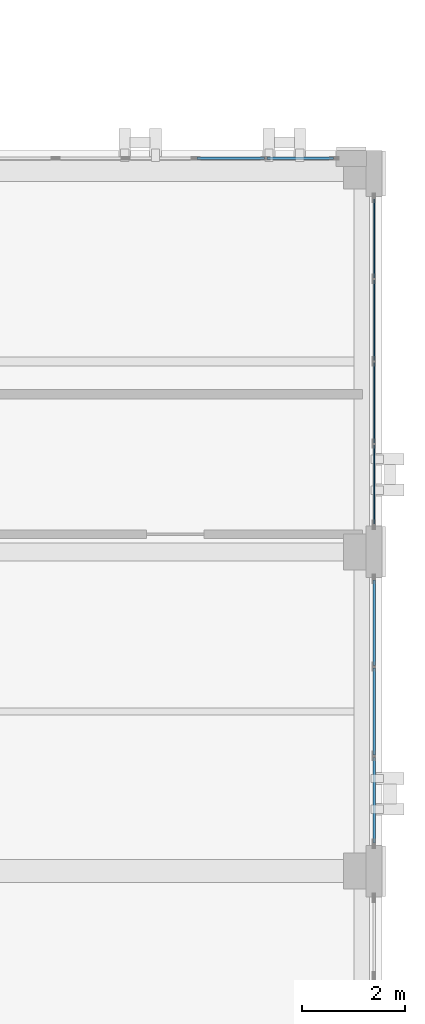
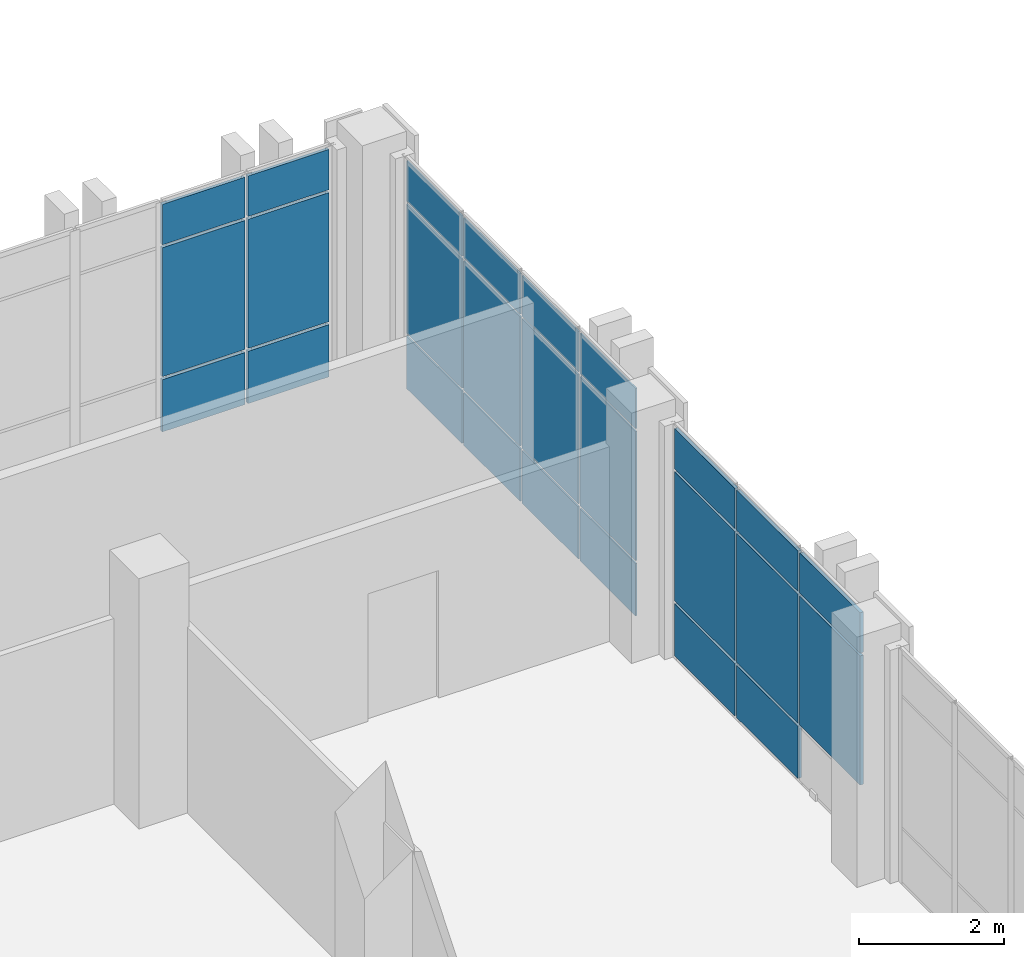
# One storey, part 152 of 193: 26 plates, 3 elements without a shape of their own.
"""IFC4 building model written with IfcOpenShell, lengths in metres."""

from ifc_helpers import new_model, si_unit, direction, frame, origin, origin_2d, place, context, subcontext, project, spatial, rectangle, extrude, material, layer, layer_set, type_object, element, aggregate, save


model = new_model("IFC4")

# Units and contexts
model_context = context("Model", 3, precision=1e-05, world=origin(), true_north=direction((0.0, 1.0)))
body_context = subcontext(model_context, "Body", "Model", "MODEL_VIEW")
ifc_project = project(units=[si_unit("LENGTHUNIT", "METRE"), si_unit("AREAUNIT", "SQUARE_METRE"), si_unit("VOLUMEUNIT", "CUBIC_METRE"), si_unit("PLANEANGLEUNIT", "RADIAN"), si_unit("MASSUNIT", "GRAM", prefix="KILO")], contexts=[model_context])

# Site, building, storey
site_placement = place(None, origin())
site = spatial("IfcSite", under=ifc_project, at=site_placement, CompositionType="ELEMENT")
building_placement = place(site_placement, origin())
building = spatial("IfcBuilding", under=site, at=building_placement, Name="Qalavern Law Courts", CompositionType="ELEMENT")
storey_placement = place(building_placement, frame((0.0, 0.0, 10.199951171875)))
storey = spatial("IfcBuildingStorey", under=building, at=storey_placement, Name="L02", CompositionType="ELEMENT", Elevation=10.199951171875)

# Curtain wall, plates
ifc_material_1 = material(Name="Anodised aluminium and insulated glazing", Category="aluminium")
ifc_layer_1 = layer(ifc_material_1, 0.172119140625)
ifc_layer_set_1 = layer_set([ifc_layer_1], Name="Anodised aluminium and insulated glazing")
curtain_wall_type = type_object("IfcCurtainWallType", Name="ENV-CW-COURT", PredefinedType="USERDEFINED", material=ifc_layer_set_1)
curtain_wall_1_placement = place(storey_placement, origin())
curtain_wall_1 = element("IfcCurtainWall", 1, at=curtain_wall_1_placement, inside=storey, type_object=curtain_wall_type, Name="V6 unitised curtain wall L02 east 3", ObjectType="UNITISED CURTAIN WALL", PredefinedType="USERDEFINED")
ifc_material_2 = material(Name="Insulated low-E acoustic glazing", Category="glass")
ifc_layer_2 = layer(ifc_material_2, 0.02392578125)
ifc_layer_set_2 = layer_set([ifc_layer_2], Name="Insulated low-E acoustic glazing")
plate_type_1 = type_object("IfcPlateType", Name="ENV-CWP-24", PredefinedType="CURTAIN_PANEL", material=ifc_layer_set_2)
plate_1_placement = place(storey_placement, frame((165.844970703125, 16.112060546875, 0.048095703125), z_axis=(0.0, 0.0, 1.0), x_axis=(0.0, 1.0, 0.0)))
plate_1 = element("IfcPlate", 2, at=plate_1_placement, type_object=plate_type_1, Name="CW-03 panel 1.1", PredefinedType="CURTAIN_PANEL", context=body_context, shape_type="SweptSolid", body=[
    extrude(rectangle(XDim=1.528076171875, YDim=0.02392578125, at=origin_2d()), origin(), (0.0, 0.0, 1.0), 0.8779296875),
])
plate_2_placement = place(storey_placement, frame((165.844970703125, 16.112060546875, 0.97412109375), z_axis=(0.0, 0.0, 1.0), x_axis=(0.0, 1.0, 0.0)))
plate_2 = element("IfcPlate", 3, at=plate_2_placement, type_object=plate_type_1, Name="CW-03 panel 1.2", PredefinedType="CURTAIN_PANEL", context=body_context, shape_type="SweptSolid", body=[
    extrude(rectangle(XDim=1.528076171875, YDim=0.02392578125, at=origin_2d()), origin(), (0.0, 0.0, 1.0), 2.1669921875),
])
plate_3_placement = place(storey_placement, frame((165.844970703125, 16.112060546875, 3.18896484375), z_axis=(0.0, 0.0, 1.0), x_axis=(0.0, 1.0, 0.0)))
plate_3 = element("IfcPlate", 4, at=plate_3_placement, type_object=plate_type_1, Name="CW-03 panel 1.3", PredefinedType="CURTAIN_PANEL", context=body_context, shape_type="SweptSolid", body=[
    extrude(rectangle(XDim=1.528076171875, YDim=0.02392578125, at=origin_2d()), origin(), (0.0, 0.0, 1.0), 0.677978515625),
])
plate_4_placement = place(storey_placement, frame((165.844970703125, 17.699951171875, 0.048095703125), z_axis=(0.0, 0.0, 1.0), x_axis=(0.0, 1.0, 0.0)))
plate_4 = element("IfcPlate", 5, at=plate_4_placement, type_object=plate_type_1, Name="CW-03 panel 2.1", PredefinedType="CURTAIN_PANEL", context=body_context, shape_type="SweptSolid", body=[
    extrude(rectangle(XDim=1.552001953125, YDim=0.02392578125, at=origin_2d()), origin(), (0.0, 0.0, 1.0), 0.8779296875),
])
plate_5_placement = place(storey_placement, frame((165.844970703125, 17.699951171875, 0.97412109375), z_axis=(0.0, 0.0, 1.0), x_axis=(0.0, 1.0, 0.0)))
plate_5 = element("IfcPlate", 6, at=plate_5_placement, type_object=plate_type_1, Name="CW-03 panel 2.2", PredefinedType="CURTAIN_PANEL", context=body_context, shape_type="SweptSolid", body=[
    extrude(rectangle(XDim=1.552001953125, YDim=0.02392578125, at=origin_2d()), origin(), (0.0, 0.0, 1.0), 2.1669921875),
])
plate_6_placement = place(storey_placement, frame((165.844970703125, 17.699951171875, 3.18896484375), z_axis=(0.0, 0.0, 1.0), x_axis=(0.0, 1.0, 0.0)))
plate_6 = element("IfcPlate", 7, at=plate_6_placement, type_object=plate_type_1, Name="CW-03 panel 2.3", PredefinedType="CURTAIN_PANEL", context=body_context, shape_type="SweptSolid", body=[
    extrude(rectangle(XDim=1.552001953125, YDim=0.02392578125, at=origin_2d()), origin(), (0.0, 0.0, 1.0), 0.677978515625),
])
plate_7_placement = place(storey_placement, frame((165.844970703125, 19.300048828125, 0.048095703125), z_axis=(0.0, 0.0, 1.0), x_axis=(0.0, 1.0, 0.0)))
plate_7 = element("IfcPlate", 8, at=plate_7_placement, type_object=plate_type_1, Name="CW-03 panel 3.1", PredefinedType="CURTAIN_PANEL", context=body_context, shape_type="SweptSolid", body=[
    extrude(rectangle(XDim=1.552001953125, YDim=0.02392578125, at=origin_2d()), origin(), (0.0, 0.0, 1.0), 0.8779296875),
])
plate_8_placement = place(storey_placement, frame((165.844970703125, 19.300048828125, 0.97412109375), z_axis=(0.0, 0.0, 1.0), x_axis=(0.0, 1.0, 0.0)))
plate_8 = element("IfcPlate", 9, at=plate_8_placement, type_object=plate_type_1, Name="CW-03 panel 3.2", PredefinedType="CURTAIN_PANEL", context=body_context, shape_type="SweptSolid", body=[
    extrude(rectangle(XDim=1.552001953125, YDim=0.02392578125, at=origin_2d()), origin(), (0.0, 0.0, 1.0), 2.1669921875),
])
plate_9_placement = place(storey_placement, frame((165.844970703125, 19.300048828125, 3.18896484375), z_axis=(0.0, 0.0, 1.0), x_axis=(0.0, 1.0, 0.0)))
plate_9 = element("IfcPlate", 10, at=plate_9_placement, type_object=plate_type_1, Name="CW-03 panel 3.3", PredefinedType="CURTAIN_PANEL", context=body_context, shape_type="SweptSolid", body=[
    extrude(rectangle(XDim=1.552001953125, YDim=0.02392578125, at=origin_2d()), origin(), (0.0, 0.0, 1.0), 0.677978515625),
])
plate_10_placement = place(storey_placement, frame((165.844970703125, 20.887939453125, 0.048095703125), z_axis=(0.0, 0.0, 1.0), x_axis=(0.0, 1.0, 0.0)))
plate_10 = element("IfcPlate", 11, at=plate_10_placement, type_object=plate_type_1, Name="CW-03 panel 4.1", PredefinedType="CURTAIN_PANEL", context=body_context, shape_type="SweptSolid", body=[
    extrude(rectangle(XDim=1.528076171875, YDim=0.02392578125, at=origin_2d()), origin(), (0.0, 0.0, 1.0), 0.8779296875),
])
plate_11_placement = place(storey_placement, frame((165.844970703125, 20.887939453125, 0.97412109375), z_axis=(0.0, 0.0, 1.0), x_axis=(0.0, 1.0, 0.0)))
plate_11 = element("IfcPlate", 12, at=plate_11_placement, type_object=plate_type_1, Name="CW-03 panel 4.2", PredefinedType="CURTAIN_PANEL", context=body_context, shape_type="SweptSolid", body=[
    extrude(rectangle(XDim=1.528076171875, YDim=0.02392578125, at=origin_2d()), origin(), (0.0, 0.0, 1.0), 2.1669921875),
])
plate_12_placement = place(storey_placement, frame((165.844970703125, 20.887939453125, 3.18896484375), z_axis=(0.0, 0.0, 1.0), x_axis=(0.0, 1.0, 0.0)))
plate_12 = element("IfcPlate", 13, at=plate_12_placement, type_object=plate_type_1, Name="CW-03 panel 4.3", PredefinedType="CURTAIN_PANEL", context=body_context, shape_type="SweptSolid", body=[
    extrude(rectangle(XDim=1.528076171875, YDim=0.02392578125, at=origin_2d()), origin(), (0.0, 0.0, 1.0), 0.677978515625),
])
aggregate(curtain_wall_1, [plate_1, plate_2, plate_3, plate_4, plate_5, plate_6, plate_7, plate_8, plate_9, plate_10, plate_11, plate_12])

curtain_wall_2_placement = place(storey_placement, origin())
curtain_wall_2 = element("IfcCurtainWall", 14, at=curtain_wall_2_placement, inside=storey, type_object=curtain_wall_type, Name="V6 unitised curtain wall L02 north 1", ObjectType="UNITISED CURTAIN WALL", PredefinedType="USERDEFINED")
ifc_layer_3 = layer(ifc_material_2, 0.048095703125)
ifc_layer_set_3 = layer_set([ifc_layer_3], Name="Insulated low-E acoustic glazing")
plate_type_2 = type_object("IfcPlateType", Name="ENV-CWP-48", PredefinedType="CURTAIN_PANEL", material=ifc_layer_set_3)
plate_13_placement = place(storey_placement, frame((164.407958984375, 22.445068359375, 0.048095703125), z_axis=(0.0, 0.0, 1.0), x_axis=(-1.0, 0.0, 0.0)))
plate_13 = element("IfcPlate", 15, at=plate_13_placement, type_object=plate_type_2, Name="CW-03 panel 1.1", PredefinedType="CURTAIN_PANEL", context=body_context, shape_type="SweptSolid", body=[
    extrude(rectangle(XDim=1.2880859375, YDim=0.048095703125, at=origin_2d()), origin(), (0.0, 0.0, 1.0), 0.8779296875),
])
plate_14_placement = place(storey_placement, frame((164.407958984375, 22.445068359375, 0.97412109375), z_axis=(0.0, 0.0, 1.0), x_axis=(-1.0, 0.0, 0.0)))
plate_14 = element("IfcPlate", 16, at=plate_14_placement, type_object=plate_type_2, Name="CW-03 panel 1.2", PredefinedType="CURTAIN_PANEL", context=body_context, shape_type="SweptSolid", body=[
    extrude(rectangle(XDim=1.2880859375, YDim=0.048095703125, at=origin_2d()), origin(), (0.0, 0.0, 1.0), 2.1669921875),
])
plate_15_placement = place(storey_placement, frame((164.407958984375, 22.445068359375, 3.18896484375), z_axis=(0.0, 0.0, 1.0), x_axis=(-1.0, 0.0, 0.0)))
plate_15 = element("IfcPlate", 17, at=plate_15_placement, type_object=plate_type_2, Name="CW-03 panel 1.3", PredefinedType="CURTAIN_PANEL", context=body_context, shape_type="SweptSolid", body=[
    extrude(rectangle(XDim=1.2880859375, YDim=0.048095703125, at=origin_2d()), origin(), (0.0, 0.0, 1.0), 0.677978515625),
])
plate_16_placement = place(storey_placement, frame((163.06005859375, 22.445068359375, 0.048095703125), z_axis=(0.0, 0.0, 1.0), x_axis=(-1.0, 0.0, 0.0)))
plate_16 = element("IfcPlate", 18, at=plate_16_placement, type_object=plate_type_2, Name="CW-03 panel 2.1", PredefinedType="CURTAIN_PANEL", context=body_context, shape_type="SweptSolid", body=[
    extrude(rectangle(XDim=1.31201171875, YDim=0.048095703125, at=origin_2d()), origin(), (0.0, 0.0, 1.0), 0.8779296875),
])
plate_17_placement = place(storey_placement, frame((163.06005859375, 22.445068359375, 0.97412109375), z_axis=(0.0, 0.0, 1.0), x_axis=(-1.0, 0.0, 0.0)))
plate_17 = element("IfcPlate", 19, at=plate_17_placement, type_object=plate_type_2, Name="CW-03 panel 2.2", PredefinedType="CURTAIN_PANEL", context=body_context, shape_type="SweptSolid", body=[
    extrude(rectangle(XDim=1.31201171875, YDim=0.048095703125, at=origin_2d()), origin(), (0.0, 0.0, 1.0), 2.1669921875),
])
plate_18_placement = place(storey_placement, frame((163.06005859375, 22.445068359375, 3.18896484375), z_axis=(0.0, 0.0, 1.0), x_axis=(-1.0, 0.0, 0.0)))
plate_18 = element("IfcPlate", 20, at=plate_18_placement, type_object=plate_type_2, Name="CW-03 panel 2.3", PredefinedType="CURTAIN_PANEL", context=body_context, shape_type="SweptSolid", body=[
    extrude(rectangle(XDim=1.31201171875, YDim=0.048095703125, at=origin_2d()), origin(), (0.0, 0.0, 1.0), 0.677978515625),
])
aggregate(curtain_wall_2, [plate_13, plate_14, plate_15, plate_16, plate_17, plate_18])

curtain_wall_3_placement = place(storey_placement, origin())
curtain_wall_3 = element("IfcCurtainWall", 21, at=curtain_wall_3_placement, inside=storey, type_object=curtain_wall_type, Name="V6 unitised curtain wall L02 east 2", ObjectType="UNITISED CURTAIN WALL", PredefinedType="USERDEFINED")
ifc_layer_4 = layer(ifc_material_2, 0.052001953125)
ifc_layer_set_4 = layer_set([ifc_layer_4], Name="Insulated low-E acoustic glazing")
plate_type_3 = type_object("IfcPlateType", Name="ENV-CWP-52", PredefinedType="CURTAIN_PANEL", material=ifc_layer_set_4)
plate_19_placement = place(storey_placement, frame((165.844970703125, 9.978759765625, 0.97412109375), z_axis=(0.0, 0.0, 1.0), x_axis=(0.0, 1.0, 0.0)))
plate_19 = element("IfcPlate", 22, at=plate_19_placement, type_object=plate_type_3, Name="CW-03 panel 1.2", PredefinedType="CURTAIN_PANEL", context=body_context, shape_type="SweptSolid", body=[
    extrude(rectangle(XDim=1.661376953125, YDim=0.052001953125, at=origin_2d()), origin(), (0.0, 0.0, 1.0), 2.1669921875),
])
plate_20_placement = place(storey_placement, frame((165.844970703125, 9.978759765625, 3.18896484375), z_axis=(0.0, 0.0, 1.0), x_axis=(0.0, 1.0, 0.0)))
plate_20 = element("IfcPlate", 23, at=plate_20_placement, type_object=plate_type_3, Name="CW-03 panel 1.3", PredefinedType="CURTAIN_PANEL", context=body_context, shape_type="SweptSolid", body=[
    extrude(rectangle(XDim=1.661376953125, YDim=0.052001953125, at=origin_2d()), origin(), (0.0, 0.0, 1.0), 0.677978515625),
])
plate_21_placement = place(storey_placement, frame((165.844970703125, 11.699951171875, 0.048095703125), z_axis=(0.0, 0.0, 1.0), x_axis=(0.0, 1.0, 0.0)))
plate_21 = element("IfcPlate", 24, at=plate_21_placement, type_object=plate_type_3, Name="CW-03 panel 2.1", PredefinedType="CURTAIN_PANEL", context=body_context, shape_type="SweptSolid", body=[
    extrude(rectangle(XDim=1.685302734375, YDim=0.052001953125, at=origin_2d()), origin(), (0.0, 0.0, 1.0), 0.8779296875),
])
plate_22_placement = place(storey_placement, frame((165.844970703125, 11.699951171875, 0.97412109375), z_axis=(0.0, 0.0, 1.0), x_axis=(0.0, 1.0, 0.0)))
plate_22 = element("IfcPlate", 25, at=plate_22_placement, type_object=plate_type_3, Name="CW-03 panel 2.2", PredefinedType="CURTAIN_PANEL", context=body_context, shape_type="SweptSolid", body=[
    extrude(rectangle(XDim=1.685302734375, YDim=0.052001953125, at=origin_2d()), origin(), (0.0, 0.0, 1.0), 2.1669921875),
])
plate_23_placement = place(storey_placement, frame((165.844970703125, 11.699951171875, 3.18896484375), z_axis=(0.0, 0.0, 1.0), x_axis=(0.0, 1.0, 0.0)))
plate_23 = element("IfcPlate", 26, at=plate_23_placement, type_object=plate_type_3, Name="CW-03 panel 2.3", PredefinedType="CURTAIN_PANEL", context=body_context, shape_type="SweptSolid", body=[
    extrude(rectangle(XDim=1.685302734375, YDim=0.052001953125, at=origin_2d()), origin(), (0.0, 0.0, 1.0), 0.677978515625),
])
plate_24_placement = place(storey_placement, frame((165.844970703125, 13.42138671875, 0.048095703125), z_axis=(0.0, 0.0, 1.0), x_axis=(0.0, 1.0, 0.0)))
plate_24 = element("IfcPlate", 27, at=plate_24_placement, type_object=plate_type_3, Name="CW-03 panel 3.1", PredefinedType="CURTAIN_PANEL", context=body_context, shape_type="SweptSolid", body=[
    extrude(rectangle(XDim=1.661376953125, YDim=0.052001953125, at=origin_2d()), origin(), (0.0, 0.0, 1.0), 0.8779296875),
])
plate_25_placement = place(storey_placement, frame((165.844970703125, 13.42138671875, 0.97412109375), z_axis=(0.0, 0.0, 1.0), x_axis=(0.0, 1.0, 0.0)))
plate_25 = element("IfcPlate", 28, at=plate_25_placement, type_object=plate_type_3, Name="CW-03 panel 3.2", PredefinedType="CURTAIN_PANEL", context=body_context, shape_type="SweptSolid", body=[
    extrude(rectangle(XDim=1.661376953125, YDim=0.052001953125, at=origin_2d()), origin(), (0.0, 0.0, 1.0), 2.1669921875),
])
plate_26_placement = place(storey_placement, frame((165.844970703125, 13.42138671875, 3.18896484375), z_axis=(0.0, 0.0, 1.0), x_axis=(0.0, 1.0, 0.0)))
plate_26 = element("IfcPlate", 29, at=plate_26_placement, type_object=plate_type_3, Name="CW-03 panel 3.3", PredefinedType="CURTAIN_PANEL", context=body_context, shape_type="SweptSolid", body=[
    extrude(rectangle(XDim=1.661376953125, YDim=0.052001953125, at=origin_2d()), origin(), (0.0, 0.0, 1.0), 0.677978515625),
])
aggregate(curtain_wall_3, [plate_19, plate_20, plate_21, plate_22, plate_23, plate_24, plate_25, plate_26])

save(model, "model.ifc")
